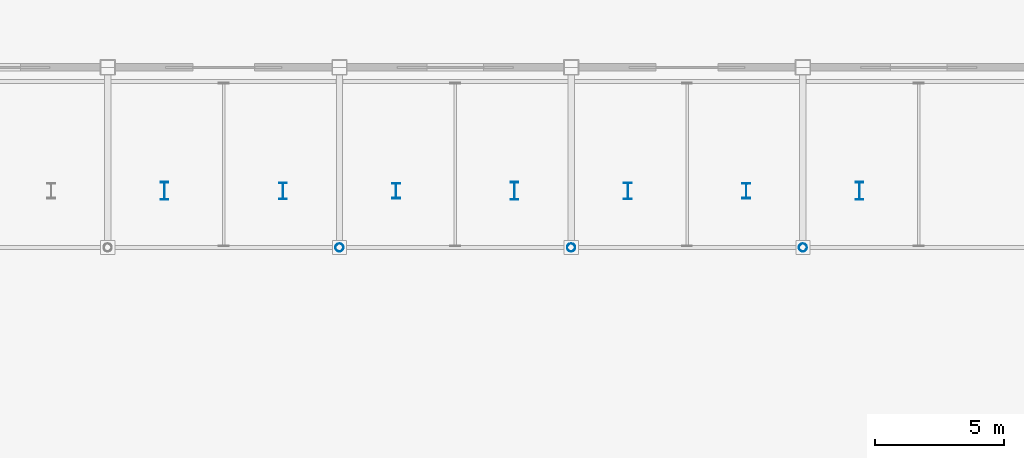
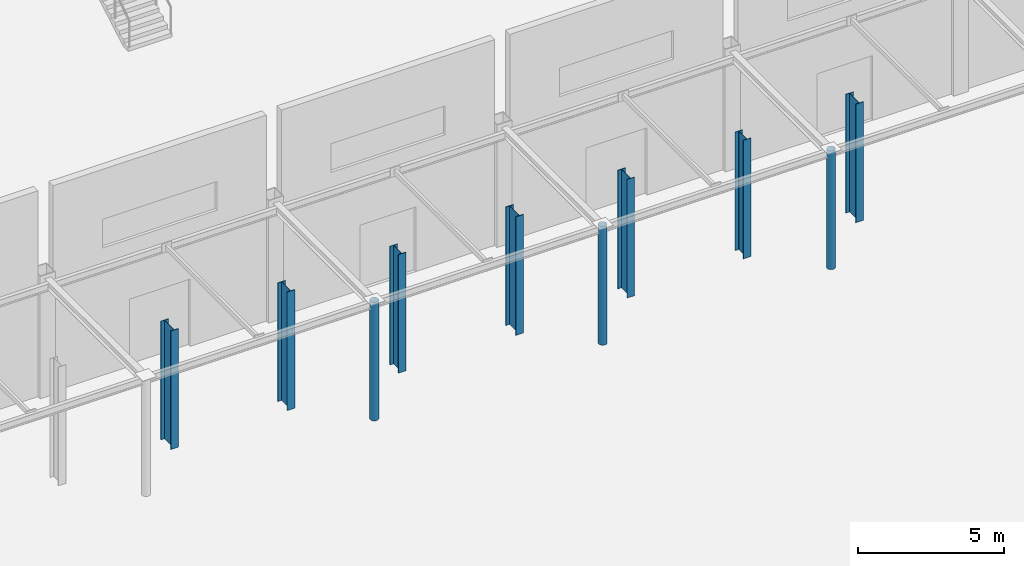
# One storey, part 6 of 123: 10 columns.
"""IFC4 building model written with IfcOpenShell, lengths in metres."""

from ifc_helpers import new_model, si_unit, direction, frame, origin, origin_2d, place, context, subcontext, project, spatial, hollow_circle, i_section, extrude, material, material_profile, profile_set, type_object, element, save


model = new_model("IFC4")

# Units and contexts
model_context = context("Model", 3, precision=1e-05, world=origin(), true_north=direction((0.0, 1.0)))
body_context = subcontext(model_context, "Body", "Model", "MODEL_VIEW")
ifc_project = project(units=[si_unit("LENGTHUNIT", "METRE"), si_unit("AREAUNIT", "SQUARE_METRE"), si_unit("VOLUMEUNIT", "CUBIC_METRE"), si_unit("PLANEANGLEUNIT", "RADIAN"), si_unit("MASSUNIT", "GRAM", prefix="KILO")], contexts=[model_context])

# Site, building, storey
site_placement = place(None, origin())
site = spatial("IfcSite", under=ifc_project, at=site_placement, CompositionType="ELEMENT")
building_placement = place(site_placement, origin())
building = spatial("IfcBuilding", under=site, at=building_placement, Name="Suzunagisa Mobility Hub", CompositionType="ELEMENT")
storey_placement = place(building_placement, origin())
storey = spatial("IfcBuildingStorey", under=building, at=storey_placement, Name="L00", CompositionType="ELEMENT", Elevation=0.0)

# Columns
ifc_material = material(Name="Steel SN490B", Category="steel")
ifc_material_profile_1 = material_profile(ifc_material, i_section(OverallWidth=0.300048828125, OverallDepth=0.587890625, WebThickness=0.011962890625, FlangeThickness=0.02001953125, FilletRadius=0.012939453125, at=origin_2d()), Name="H-588x300x12x20")
ifc_profile_set_1 = profile_set([ifc_material_profile_1], Name="Steel SN490B")
column_type_1 = type_object("IfcColumnType", Name="Steel Column CL-06 H-588x300x12x20", PredefinedType="PILASTER", material=ifc_profile_set_1)
for number, where, z_axis, x_axis, name in (
    (1, (74.199951171875, 31.199951171875, 0.0), (0.0, 0.0, 1.0), (1.0, 0.0, 0.0), "L00 Streamline Colonnade Pilaster PL-05"),
    (2, (87.800048828125, 31.199951171875, 0.0), (0.0, 0.0, 1.0), (1.0, 0.0, 0.0), "L00 Streamline Colonnade Pilaster PL-08"),
):
    element("IfcColumn", number, at=place(storey_placement, frame(where, z_axis=z_axis, x_axis=x_axis)), inside=storey, type_object=column_type_1, Name=name, PredefinedType="PILASTER", context=body_context, shape_type="SweptSolid", body=[
        extrude(i_section(OverallWidth=0.300048828125, OverallDepth=0.587890625, WebThickness=0.011962890625, FlangeThickness=0.02001953125, FilletRadius=0.012939453125, at=origin_2d()), origin(), (0.0, 0.0, 1.0), 4.93994140625),
    ])
ifc_material_profile_2 = material_profile(ifc_material, hollow_circle(Radius=0.1591796875, WallThickness=0.01025390625, at=origin_2d()), Name="CHS-318.5x10.3")
ifc_profile_set_2 = profile_set([ifc_material_profile_2], Name="Steel SN490B")
column_type_2 = type_object("IfcColumnType", Name="Steel Column CL-09 CHS-318.5x10.3", PredefinedType="COLUMN", material=ifc_profile_set_2)
for number, where, z_axis, x_axis, name in (
    (3, (72.0, 29.0, 0.0), (0.0, 0.0, 1.0), (1.0, 0.0, 0.0), "L00 Column 150"),
    (4, (81.0, 29.0, 0.0), (0.0, 0.0, 1.0), (1.0, 0.0, 0.0), "L00 Column 166"),
    (5, (90.0, 29.0, 0.0), (0.0, 0.0, 1.0), (1.0, 0.0, 0.0), "L00 Column 182"),
):
    element("IfcColumn", number, at=place(storey_placement, frame(where, z_axis=z_axis, x_axis=x_axis)), inside=storey, type_object=column_type_2, Name=name, PredefinedType="COLUMN", context=body_context, shape_type="SweptSolid", body=[
        extrude(hollow_circle(Radius=0.1591796875, WallThickness=0.01025390625, at=origin_2d()), origin(), (0.0, 0.0, 1.0), 4.93994140625),
    ])
ifc_material_profile_3 = material_profile(ifc_material, i_section(OverallWidth=0.300048828125, OverallDepth=0.699951171875, WebThickness=0.012939453125, FlangeThickness=0.02392578125, FilletRadius=0.01806640625, at=origin_2d()), Name="H-700x300x13x24")
ifc_profile_set_3 = profile_set([ifc_material_profile_3], Name="Steel SN490B")
column_type_3 = type_object("IfcColumnType", Name="Steel Column CL-14 H-700x300x13x24", PredefinedType="PILASTER", material=ifc_profile_set_3)
for number, where, z_axis, x_axis, name in (
    (6, (65.199951171875, 31.199951171875, 0.0), (0.0, 0.0, 1.0), (1.0, 0.0, 0.0), "L00 Streamline Colonnade Pilaster PL-03"),
    (7, (78.800048828125, 31.199951171875, 0.0), (0.0, 0.0, 1.0), (1.0, 0.0, 0.0), "L00 Streamline Colonnade Pilaster PL-06"),
    (8, (92.199951171875, 31.199951171875, 0.0), (0.0, 0.0, 1.0), (1.0, 0.0, 0.0), "L00 Streamline Colonnade Pilaster PL-09"),
):
    element("IfcColumn", number, at=place(storey_placement, frame(where, z_axis=z_axis, x_axis=x_axis)), inside=storey, type_object=column_type_3, Name=name, PredefinedType="PILASTER", context=body_context, shape_type="SweptSolid", body=[
        extrude(i_section(OverallWidth=0.300048828125, OverallDepth=0.699951171875, WebThickness=0.012939453125, FlangeThickness=0.02392578125, FilletRadius=0.01806640625, at=origin_2d()), origin(), (0.0, 0.0, 1.0), 4.93994140625),
    ])
ifc_material_profile_4 = material_profile(ifc_material, i_section(OverallWidth=0.300048828125, OverallDepth=0.64990234375, WebThickness=0.012939453125, FlangeThickness=0.02197265625, FilletRadius=0.01611328125, at=origin_2d()), Name="H-650x300x13x22")
ifc_profile_set_4 = profile_set([ifc_material_profile_4], Name="Steel SN490B")
column_type_4 = type_object("IfcColumnType", Name="Steel Column CL-16 H-650x300x13x22", PredefinedType="PILASTER", material=ifc_profile_set_4)
for number, where, z_axis, x_axis, name in (
    (9, (69.800048828125, 31.199951171875, 0.0), (0.0, 0.0, 1.0), (1.0, 0.0, 0.0), "L00 Streamline Colonnade Pilaster PL-04"),
    (10, (83.199951171875, 31.199951171875, 0.0), (0.0, 0.0, 1.0), (1.0, 0.0, 0.0), "L00 Streamline Colonnade Pilaster PL-07"),
):
    element("IfcColumn", number, at=place(storey_placement, frame(where, z_axis=z_axis, x_axis=x_axis)), inside=storey, type_object=column_type_4, Name=name, PredefinedType="PILASTER", context=body_context, shape_type="SweptSolid", body=[
        extrude(i_section(OverallWidth=0.300048828125, OverallDepth=0.64990234375, WebThickness=0.012939453125, FlangeThickness=0.02197265625, FilletRadius=0.01611328125, at=origin_2d()), origin(), (0.0, 0.0, 1.0), 4.93994140625),
    ])

save(model, "model.ifc")
